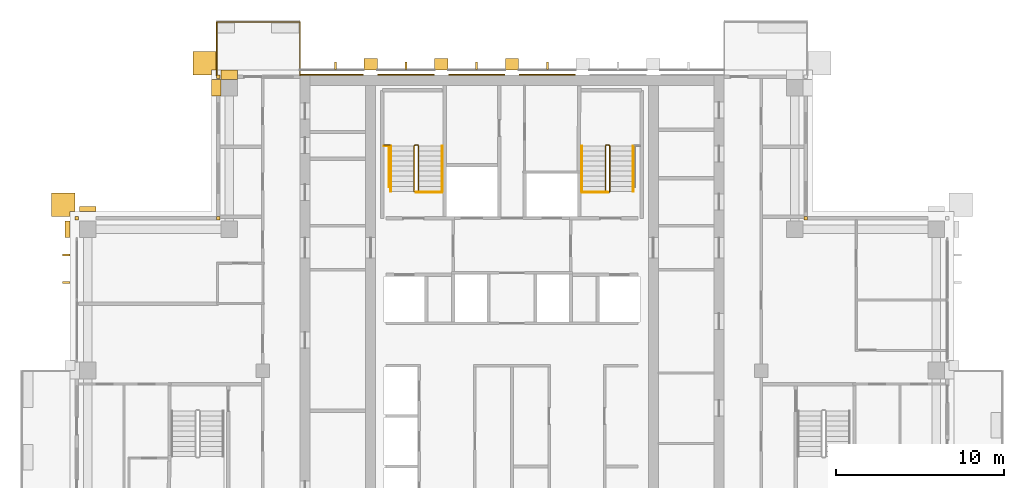
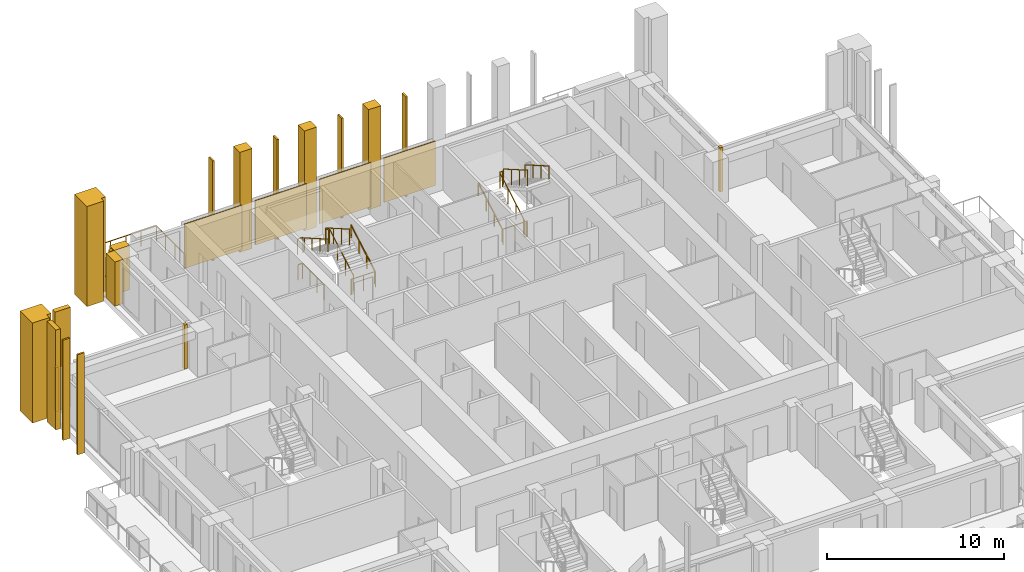
# One storey, part 17 of 18: 23 coverings, 11 railings.
"""IFC4 building model written with IfcOpenShell, lengths in metres."""

from ifc_helpers import new_model, si_unit, direction, frame, origin, origin_2d, place, context, subcontext, project, spatial, polyline, rectangle, outline, extrude, material, layer, layer_set, type_object, element, save


model = new_model("IFC4")

# Units and contexts
model_context = context("Model", 3, precision=1e-05, world=origin(), true_north=direction((0.0, 1.0)))
body_context = subcontext(model_context, "Body", "Model", "MODEL_VIEW")
ifc_project = project(units=[si_unit("LENGTHUNIT", "METRE"), si_unit("AREAUNIT", "SQUARE_METRE"), si_unit("VOLUMEUNIT", "CUBIC_METRE"), si_unit("PLANEANGLEUNIT", "RADIAN"), si_unit("MASSUNIT", "GRAM", prefix="KILO")], contexts=[model_context])

# Site, building, storey
site_placement = place(None, origin())
site = spatial("IfcSite", under=ifc_project, at=site_placement, CompositionType="ELEMENT")
building_placement = place(site_placement, origin())
building = spatial("IfcBuilding", under=site, at=building_placement, Name="Vermilion Ogive Tower", CompositionType="ELEMENT")
storey_placement = place(building_placement, frame((0.0, 0.0, 199.699951171875)))
storey = spatial("IfcBuildingStorey", under=building, at=storey_placement, Name="L52", CompositionType="ELEMENT", Elevation=199.699951171875)

# Railing
ifc_material_1 = material(Name="Stainless steel and glass", Category="steel")
railing_type_1 = type_object("IfcRailingType", Name="Balcony guard", PredefinedType="GUARDRAIL", material=ifc_material_1)
railing_1_placement = place(storey_placement, frame((-12.60009765625, 21.75, -0.0400390625)))
element("IfcRailing", 1, at=railing_1_placement, inside=storey, type_object=railing_type_1, Name="Guard N201", PredefinedType="GUARDRAIL", context=body_context, shape_type="SweptSolid", body=[
    extrude(rectangle(XDim=0.048095703125, YDim=0.048095703125, at=origin_2d()), frame((0.0, 0.0, 1.076171875), z_axis=(0.0, 1.0, 0.0), x_axis=(-1.0, 0.0, 0.0)), (0.0, 0.0, 1.0), 3.159912109375),
    extrude(rectangle(XDim=0.048095703125, YDim=0.048095703125, at=origin_2d()), frame((0.0, 3.159912109375, 1.076171875), z_axis=(-1.0, 0.0, 0.0), x_axis=(0.0, -1.0, 0.0)), (0.0, 0.0, 1.0), 4.949951171875),
    extrude(rectangle(XDim=0.048095703125, YDim=0.048095703125, at=origin_2d()), frame((-4.949951171875, 3.159912109375, 1.076171875), z_axis=(0.0, -1.0, 0.0), x_axis=(1.0, 0.0, 0.0)), (0.0, 0.0, 1.0), 3.159912109375),
    extrude(rectangle(XDim=0.0419921875, YDim=0.0419921875, at=origin_2d()), origin(), (0.0, 0.0, 1.0), 1.052001953125),
    extrude(rectangle(XDim=0.0419921875, YDim=0.0419921875, at=origin_2d()), frame((0.0, 1.05322265625, 0.0)), (0.0, 0.0, 1.0), 1.052001953125),
    extrude(rectangle(XDim=0.0419921875, YDim=0.0419921875, at=origin_2d()), frame((0.0, 2.106689453125, 0.0)), (0.0, 0.0, 1.0), 1.052001953125),
    extrude(rectangle(XDim=0.0419921875, YDim=0.0419921875, at=origin_2d()), frame((0.0, 3.159912109375, 0.0)), (0.0, 0.0, 1.0), 1.052001953125),
    extrude(rectangle(XDim=0.0419921875, YDim=0.0419921875, at=origin_2d()), frame((-0.989990234375, 3.159912109375, 0.0)), (0.0, 0.0, 1.0), 1.052001953125),
    extrude(rectangle(XDim=0.0419921875, YDim=0.0419921875, at=origin_2d()), frame((-1.97998046875, 3.159912109375, 0.0)), (0.0, 0.0, 1.0), 1.052001953125),
    extrude(rectangle(XDim=0.0419921875, YDim=0.0419921875, at=origin_2d()), frame((-2.969970703125, 3.159912109375, 0.0)), (0.0, 0.0, 1.0), 1.052001953125),
    extrude(rectangle(XDim=0.0419921875, YDim=0.0419921875, at=origin_2d()), frame((-3.9599609375, 3.159912109375, 0.0)), (0.0, 0.0, 1.0), 1.052001953125),
    extrude(rectangle(XDim=0.0419921875, YDim=0.0419921875, at=origin_2d()), frame((-4.949951171875, 3.159912109375, 0.0)), (0.0, 0.0, 1.0), 1.052001953125),
    extrude(rectangle(XDim=0.0419921875, YDim=0.0419921875, at=origin_2d()), frame((-4.949951171875, 2.106689453125, 0.0)), (0.0, 0.0, 1.0), 1.052001953125),
    extrude(rectangle(XDim=0.0419921875, YDim=0.0419921875, at=origin_2d()), frame((-4.949951171875, 1.05322265625, 0.0)), (0.0, 0.0, 1.0), 1.052001953125),
    extrude(rectangle(XDim=0.0419921875, YDim=0.0419921875, at=origin_2d()), frame((-4.949951171875, 0.0, 0.0)), (0.0, 0.0, 1.0), 1.052001953125),
])

# Coverings
ifc_material_2 = material(Name="Glazed ceramic screen")
ifc_layer = layer(ifc_material_2, 0.14990234375)
ifc_layer_set = layer_set([ifc_layer], Name="Ceramic solar screen fin")
covering_type_1 = type_object("IfcCoveringType", Name="Ceramic solar screen fin", PredefinedType="CLADDING", material=ifc_layer_set)
covering_1_placement = place(storey_placement, frame((0.0, 0.0, -0.39990234375)))
element("IfcCovering", 2, at=covering_1_placement, inside=storey, type_object=covering_type_1, Name="Solar screen blade W021", PredefinedType="CLADDING", context=body_context, shape_type="SweptSolid", body=[
    extrude(outline(polyline([(-26.699951171875, 11.135009765625), (-26.699951171875, 11.014892578125), (-26.25, 11.014892578125), (-26.25, 11.135009765625), (-26.699951171875, 11.135009765625)])), origin(), (0.0, 0.0, 1.0), 6.89990234375),
])
covering_2_placement = place(storey_placement, frame((0.0, 0.0, -0.39990234375)))
element("IfcCovering", 3, at=covering_2_placement, inside=storey, type_object=covering_type_1, Name="Solar screen blade W022", PredefinedType="CLADDING", context=body_context, shape_type="SweptSolid", body=[
    extrude(outline(polyline([(-26.699951171875, 9.485107421875), (-26.699951171875, 9.364990234375), (-26.25, 9.364990234375), (-26.25, 9.485107421875), (-26.699951171875, 9.485107421875)])), origin(), (0.0, 0.0, 1.0), 6.89990234375),
])
covering_3_placement = place(storey_placement, frame((0.0, 0.0, -0.39990234375)))
element("IfcCovering", 4, at=covering_3_placement, inside=storey, type_object=covering_type_1, Name="Solar screen blade N1", PredefinedType="CLADDING", context=body_context, shape_type="SweptSolid", body=[
    extrude(outline(polyline([(-10.56005859375, 22.08203125), (-10.43994140625, 22.08203125), (-10.43994140625, 22.531982421875), (-10.56005859375, 22.531982421875), (-10.56005859375, 22.08203125)])), origin(), (0.0, 0.0, 1.0), 6.89990234375),
])
covering_4_placement = place(storey_placement, frame((0.0, 0.0, -0.39990234375)))
element("IfcCovering", 5, at=covering_4_placement, inside=storey, type_object=covering_type_1, Name="Solar screen blade N2", PredefinedType="CLADDING", context=body_context, shape_type="SweptSolid", body=[
    extrude(outline(polyline([(-6.360107421875, 22.08203125), (-6.239990234375, 22.08203125), (-6.239990234375, 22.531982421875), (-6.360107421875, 22.531982421875), (-6.360107421875, 22.08203125)])), origin(), (0.0, 0.0, 1.0), 6.89990234375),
])
covering_5_placement = place(storey_placement, frame((0.0, 0.0, -0.39990234375)))
element("IfcCovering", 6, at=covering_5_placement, inside=storey, type_object=covering_type_1, Name="Solar screen blade N3", PredefinedType="CLADDING", context=body_context, shape_type="SweptSolid", body=[
    extrude(outline(polyline([(-2.159912109375, 22.08203125), (-2.0400390625, 22.08203125), (-2.0400390625, 22.531982421875), (-2.159912109375, 22.531982421875), (-2.159912109375, 22.08203125)])), origin(), (0.0, 0.0, 1.0), 6.89990234375),
])
covering_6_placement = place(storey_placement, frame((0.0, 0.0, -0.39990234375)))
element("IfcCovering", 7, at=covering_6_placement, inside=storey, type_object=covering_type_1, Name="Solar screen blade N4", PredefinedType="CLADDING", context=body_context, shape_type="SweptSolid", body=[
    extrude(outline(polyline([(2.0400390625, 22.08203125), (2.159912109375, 22.08203125), (2.159912109375, 22.531982421875), (2.0400390625, 22.531982421875), (2.0400390625, 22.08203125)])), origin(), (0.0, 0.0, 1.0), 6.89990234375),
])

# Railings
ifc_material_3 = material(Name="Steel S355 painted", Category="steel")
railing_type_2 = type_object("IfcRailingType", Name="Stair guard 1100", PredefinedType="GUARDRAIL", material=ifc_material_3)
railing_2_placement = place(storey_placement, frame((-5.75, 14.800048828125, 0.0)))
element("IfcRailing", 8, at=railing_2_placement, inside=storey, type_object=railing_type_2, Name="L52 ST1 stair guard 4", PredefinedType="GUARDRAIL", context=body_context, shape_type="SweptSolid", body=[
    extrude(rectangle(XDim=0.048095703125, YDim=0.048095703125, at=origin_2d()), frame((0.0, 0.0, 1.076171875), z_axis=(1.0, 0.0, 0.0), x_axis=(0.0, 1.0, 0.0)), (0.0, 0.0, 1.0), 0.14990234375),
    extrude(rectangle(XDim=0.048095703125, YDim=0.048095703125, at=origin_2d()), frame((0.14990234375, 0.0, 1.076171875), z_axis=(0.268277960024, 0.268277960024, 0.925231793839), x_axis=(-0.707106781187, 0.707106781187, 0.0)), (0.0, 0.0, 1.0), 0.1865234375),
    extrude(rectangle(XDim=0.048095703125, YDim=0.048095703125, at=origin_2d()), frame((0.199951171875, 0.050048828125, 1.24853515625), z_axis=(0.0, 0.866903762492, 0.498475542607), x_axis=(-1.0, 0.0, 0.0)), (0.0, 0.0, 1.0), 3.114501953125),
    extrude(rectangle(XDim=0.048095703125, YDim=0.048095703125, at=origin_2d()), frame((0.199951171875, 2.75, 2.80126953125), z_axis=(-0.707106781187, 0.707106781187, 0.0), x_axis=(-0.707106781187, -0.707106781187, 0.0)), (0.0, 0.0, 1.0), 0.07080078125),
    extrude(rectangle(XDim=0.048095703125, YDim=0.048095703125, at=origin_2d()), frame((0.14990234375, 2.800048828125, 2.80126953125), z_axis=(-1.0, 0.0, 0.0), x_axis=(0.0, -1.0, 0.0)), (0.0, 0.0, 1.0), 0.14990234375),
    extrude(rectangle(XDim=0.048095703125, YDim=0.048095703125, at=origin_2d()), frame((0.0, 2.800048828125, 2.80126953125), z_axis=(-0.268603158521, -0.268603158521, 0.925043072762), x_axis=(0.707106781187, -0.707106781187, 0.0)), (0.0, 0.0, 1.0), 0.186279296875),
    extrude(rectangle(XDim=0.048095703125, YDim=0.048095703125, at=origin_2d()), frame((-0.050048828125, 2.75, 2.9736328125), z_axis=(0.0, -0.866903762492, 0.498475542607), x_axis=(1.0, 0.0, 0.0)), (0.0, 0.0, 1.0), 3.114501953125),
    extrude(rectangle(XDim=0.0419921875, YDim=0.0419921875, at=origin_2d()), origin(), (0.0, 0.0, 1.0), 1.052001953125),
    extrude(rectangle(XDim=0.0419921875, YDim=0.0419921875, at=origin_2d()), frame((0.14990234375, 0.0, 0.0)), (0.0, 0.0, 1.0), 1.052001953125),
    extrude(rectangle(XDim=0.0419921875, YDim=0.0419921875, at=origin_2d()), frame((0.199951171875, 0.050048828125, 0.172607421875)), (0.0, 0.0, 1.0), 1.052001953125),
    extrude(rectangle(XDim=0.0419921875, YDim=0.0419921875, at=origin_2d()), frame((0.199951171875, 0.949951171875, 0.690185546875)), (0.0, 0.0, 1.0), 1.052001953125),
    extrude(rectangle(XDim=0.0419921875, YDim=0.0419921875, at=origin_2d()), frame((0.199951171875, 1.85009765625, 1.20751953125)), (0.0, 0.0, 1.0), 1.052001953125),
    extrude(rectangle(XDim=0.0419921875, YDim=0.0419921875, at=origin_2d()), frame((0.199951171875, 2.75, 1.72509765625)), (0.0, 0.0, 1.0), 1.052001953125),
    extrude(rectangle(XDim=0.0419921875, YDim=0.0419921875, at=origin_2d()), frame((0.14990234375, 2.800048828125, 1.72509765625)), (0.0, 0.0, 1.0), 1.052001953125),
    extrude(rectangle(XDim=0.0419921875, YDim=0.0419921875, at=origin_2d()), frame((0.0, 2.800048828125, 1.72509765625)), (0.0, 0.0, 1.0), 1.052001953125),
    extrude(rectangle(XDim=0.0419921875, YDim=0.0419921875, at=origin_2d()), frame((-0.050048828125, 2.75, 1.8974609375)), (0.0, 0.0, 1.0), 1.052001953125),
    extrude(rectangle(XDim=0.0419921875, YDim=0.0419921875, at=origin_2d()), frame((-0.050048828125, 1.85009765625, 2.4150390625)), (0.0, 0.0, 1.0), 1.052001953125),
    extrude(rectangle(XDim=0.0419921875, YDim=0.0419921875, at=origin_2d()), frame((-0.050048828125, 0.949951171875, 2.932373046875)), (0.0, 0.0, 1.0), 1.052001953125),
    extrude(rectangle(XDim=0.0419921875, YDim=0.0419921875, at=origin_2d()), frame((-0.050048828125, 0.050048828125, 3.449951171875)), (0.0, 0.0, 1.0), 1.052001953125),
])
railing_3_placement = place(storey_placement, frame((5.75, 14.800048828125, 0.0)))
element("IfcRailing", 9, at=railing_3_placement, inside=storey, type_object=railing_type_2, Name="L52 ST2 stair guard 4", PredefinedType="GUARDRAIL", context=body_context, shape_type="SweptSolid", body=[
    extrude(rectangle(XDim=0.048095703125, YDim=0.048095703125, at=origin_2d()), frame((0.0, 0.0, 1.076171875), z_axis=(-1.0, 0.0, 0.0), x_axis=(0.0, -1.0, 0.0)), (0.0, 0.0, 1.0), 0.14990234375),
    extrude(rectangle(XDim=0.048095703125, YDim=0.048095703125, at=origin_2d()), frame((-0.14990234375, 0.0, 1.076171875), z_axis=(-0.268277960024, 0.268277960024, 0.925231793839), x_axis=(-0.707106781187, -0.707106781187, 0.0)), (0.0, 0.0, 1.0), 0.1865234375),
    extrude(rectangle(XDim=0.048095703125, YDim=0.048095703125, at=origin_2d()), frame((-0.199951171875, 0.050048828125, 1.24853515625), z_axis=(0.0, 0.866903762492, 0.498475542607), x_axis=(-1.0, 0.0, 0.0)), (0.0, 0.0, 1.0), 3.114501953125),
    extrude(rectangle(XDim=0.048095703125, YDim=0.048095703125, at=origin_2d()), frame((-0.199951171875, 2.75, 2.80126953125), z_axis=(0.707106781187, 0.707106781187, 0.0), x_axis=(-0.707106781187, 0.707106781187, 0.0)), (0.0, 0.0, 1.0), 0.07080078125),
    extrude(rectangle(XDim=0.048095703125, YDim=0.048095703125, at=origin_2d()), frame((-0.14990234375, 2.800048828125, 2.80126953125), z_axis=(1.0, 0.0, 0.0), x_axis=(0.0, 1.0, 0.0)), (0.0, 0.0, 1.0), 0.14990234375),
    extrude(rectangle(XDim=0.048095703125, YDim=0.048095703125, at=origin_2d()), frame((0.0, 2.800048828125, 2.80126953125), z_axis=(0.268603158521, -0.268603158521, 0.925043072762), x_axis=(0.707106781187, 0.707106781187, 0.0)), (0.0, 0.0, 1.0), 0.186279296875),
    extrude(rectangle(XDim=0.048095703125, YDim=0.048095703125, at=origin_2d()), frame((0.050048828125, 2.75, 2.9736328125), z_axis=(0.0, -0.866903762492, 0.498475542607), x_axis=(1.0, 0.0, 0.0)), (0.0, 0.0, 1.0), 3.114501953125),
    extrude(rectangle(XDim=0.0419921875, YDim=0.0419921875, at=origin_2d()), origin(), (0.0, 0.0, 1.0), 1.052001953125),
    extrude(rectangle(XDim=0.0419921875, YDim=0.0419921875, at=origin_2d()), frame((-0.14990234375, 0.0, 0.0)), (0.0, 0.0, 1.0), 1.052001953125),
    extrude(rectangle(XDim=0.0419921875, YDim=0.0419921875, at=origin_2d()), frame((-0.199951171875, 0.050048828125, 0.172607421875)), (0.0, 0.0, 1.0), 1.052001953125),
    extrude(rectangle(XDim=0.0419921875, YDim=0.0419921875, at=origin_2d()), frame((-0.199951171875, 0.949951171875, 0.690185546875)), (0.0, 0.0, 1.0), 1.052001953125),
    extrude(rectangle(XDim=0.0419921875, YDim=0.0419921875, at=origin_2d()), frame((-0.199951171875, 1.85009765625, 1.20751953125)), (0.0, 0.0, 1.0), 1.052001953125),
    extrude(rectangle(XDim=0.0419921875, YDim=0.0419921875, at=origin_2d()), frame((-0.199951171875, 2.75, 1.72509765625)), (0.0, 0.0, 1.0), 1.052001953125),
    extrude(rectangle(XDim=0.0419921875, YDim=0.0419921875, at=origin_2d()), frame((-0.14990234375, 2.800048828125, 1.72509765625)), (0.0, 0.0, 1.0), 1.052001953125),
    extrude(rectangle(XDim=0.0419921875, YDim=0.0419921875, at=origin_2d()), frame((0.0, 2.800048828125, 1.72509765625)), (0.0, 0.0, 1.0), 1.052001953125),
    extrude(rectangle(XDim=0.0419921875, YDim=0.0419921875, at=origin_2d()), frame((0.050048828125, 2.75, 1.8974609375)), (0.0, 0.0, 1.0), 1.052001953125),
    extrude(rectangle(XDim=0.0419921875, YDim=0.0419921875, at=origin_2d()), frame((0.050048828125, 1.85009765625, 2.4150390625)), (0.0, 0.0, 1.0), 1.052001953125),
    extrude(rectangle(XDim=0.0419921875, YDim=0.0419921875, at=origin_2d()), frame((0.050048828125, 0.949951171875, 2.932373046875)), (0.0, 0.0, 1.0), 1.052001953125),
    extrude(rectangle(XDim=0.0419921875, YDim=0.0419921875, at=origin_2d()), frame((0.050048828125, 0.050048828125, 3.449951171875)), (0.0, 0.0, 1.0), 1.052001953125),
])
railing_4_placement = place(storey_placement, frame((-7.60009765625, 17.60009765625, 1.72509765625)))
element("IfcRailing", 10, at=railing_4_placement, inside=storey, type_object=railing_type_2, Name="L52 landing guard", PredefinedType="GUARDRAIL", context=body_context, shape_type="SweptSolid", body=[
    extrude(rectangle(XDim=0.048095703125, YDim=0.048095703125, at=origin_2d()), frame((0.0, 0.0, 1.076171875), z_axis=(1.0, 0.0, 0.0), x_axis=(0.0, 1.0, 0.0)), (0.0, 0.0, 1.0), 0.35009765625),
    extrude(rectangle(XDim=0.0419921875, YDim=0.0419921875, at=origin_2d()), origin(), (0.0, 0.0, 1.0), 1.052001953125),
    extrude(rectangle(XDim=0.0419921875, YDim=0.0419921875, at=origin_2d()), frame((0.35009765625, 0.0, 0.0)), (0.0, 0.0, 1.0), 1.052001953125),
])
railing_5_placement = place(storey_placement, frame((-4.159912109375, 14.7900390625, 0.0)))
element("IfcRailing", 11, at=railing_5_placement, inside=storey, type_object=railing_type_2, Name="L52 stair opening guard", PredefinedType="GUARDRAIL", context=body_context, shape_type="SweptSolid", body=[
    extrude(rectangle(XDim=0.048095703125, YDim=0.048095703125, at=origin_2d()), frame((0.0, 0.0, 1.076171875), z_axis=(-1.0, 0.0, 0.0), x_axis=(0.0, -1.0, 0.0)), (0.0, 0.0, 1.0), 1.5400390625),
    extrude(rectangle(XDim=0.0419921875, YDim=0.0419921875, at=origin_2d()), origin(), (0.0, 0.0, 1.0), 1.052001953125),
    extrude(rectangle(XDim=0.0419921875, YDim=0.0419921875, at=origin_2d()), frame((-0.77001953125, 0.0, 0.0)), (0.0, 0.0, 1.0), 1.052001953125),
    extrude(rectangle(XDim=0.0419921875, YDim=0.0419921875, at=origin_2d()), frame((-1.5400390625, 0.0, 0.0)), (0.0, 0.0, 1.0), 1.052001953125),
])
railing_6_placement = place(storey_placement, frame((-7.3095703125, 15.11865234375, 0.0)))
element("IfcRailing", 12, at=railing_6_placement, inside=storey, type_object=railing_type_2, Name="L52 stair opening guard", PredefinedType="GUARDRAIL", context=body_context, shape_type="SweptSolid", body=[
    extrude(rectangle(XDim=0.048095703125, YDim=0.048095703125, at=origin_2d()), frame((0.0, 0.0, 1.076171875), z_axis=(0.0, 1.0, 0.0), x_axis=(-1.0, 0.0, 0.0)), (0.0, 0.0, 1.0), 2.42431640625),
    extrude(rectangle(XDim=0.048095703125, YDim=0.048095703125, at=origin_2d()), frame((0.0, 2.42431640625, 1.076171875), z_axis=(-1.0, 0.0, 0.0), x_axis=(0.0, -1.0, 0.0)), (0.0, 0.0, 1.0), 0.2900390625),
    extrude(rectangle(XDim=0.0419921875, YDim=0.0419921875, at=origin_2d()), origin(), (0.0, 0.0, 1.0), 1.052001953125),
    extrude(rectangle(XDim=0.0419921875, YDim=0.0419921875, at=origin_2d()), frame((0.0, 0.80810546875, 0.0)), (0.0, 0.0, 1.0), 1.052001953125),
    extrude(rectangle(XDim=0.0419921875, YDim=0.0419921875, at=origin_2d()), frame((0.0, 1.6162109375, 0.0)), (0.0, 0.0, 1.0), 1.052001953125),
    extrude(rectangle(XDim=0.0419921875, YDim=0.0419921875, at=origin_2d()), frame((0.0, 2.42431640625, 0.0)), (0.0, 0.0, 1.0), 1.052001953125),
    extrude(rectangle(XDim=0.0419921875, YDim=0.0419921875, at=origin_2d()), frame((-0.2900390625, 2.42431640625, 0.0)), (0.0, 0.0, 1.0), 1.052001953125),
])
railing_7_placement = place(storey_placement, frame((5.699951171875, 14.7900390625, 0.0)))
element("IfcRailing", 13, at=railing_7_placement, inside=storey, type_object=railing_type_2, Name="L52 stair opening guard", PredefinedType="GUARDRAIL", context=body_context, shape_type="SweptSolid", body=[
    extrude(rectangle(XDim=0.048095703125, YDim=0.048095703125, at=origin_2d()), frame((0.0, 0.0, 1.076171875), z_axis=(-1.0, 0.0, 0.0), x_axis=(0.0, -1.0, 0.0)), (0.0, 0.0, 1.0), 1.5400390625),
    extrude(rectangle(XDim=0.0419921875, YDim=0.0419921875, at=origin_2d()), origin(), (0.0, 0.0, 1.0), 1.052001953125),
    extrude(rectangle(XDim=0.0419921875, YDim=0.0419921875, at=origin_2d()), frame((-0.77001953125, 0.0, 0.0)), (0.0, 0.0, 1.0), 1.052001953125),
    extrude(rectangle(XDim=0.0419921875, YDim=0.0419921875, at=origin_2d()), frame((-1.5400390625, 0.0, 0.0)), (0.0, 0.0, 1.0), 1.052001953125),
])
ifc_material_4 = material(Name="Stainless steel", Category="steel")
railing_type_3 = type_object("IfcRailingType", Name="Stair handrail 900", PredefinedType="HANDRAIL", material=ifc_material_4)
railing_8_placement = place(storey_placement, frame((-4.14990234375, 14.85009765625, 0.172607421875)))
element("IfcRailing", 14, at=railing_8_placement, inside=storey, type_object=railing_type_3, Name="L52 ST1 stair handrail 1", PredefinedType="HANDRAIL", context=body_context, shape_type="SweptSolid", body=[
    extrude(rectangle(XDim=0.048095703125, YDim=0.048095703125, at=origin_2d()), frame((0.0, 0.0, 0.8759765625), z_axis=(0.0, 0.866903762492, 0.498475542607), x_axis=(-1.0, 0.0, 0.0)), (0.0, 0.0, 1.0), 3.114501953125),
    extrude(rectangle(XDim=0.0419921875, YDim=0.0419921875, at=origin_2d()), origin(), (0.0, 0.0, 1.0), 0.851806640625),
    extrude(rectangle(XDim=0.0419921875, YDim=0.0419921875, at=origin_2d()), frame((0.0, 0.89990234375, 0.517578125)), (0.0, 0.0, 1.0), 0.851806640625),
    extrude(rectangle(XDim=0.0419921875, YDim=0.0419921875, at=origin_2d()), frame((0.0, 1.800048828125, 1.034912109375)), (0.0, 0.0, 1.0), 0.851806640625),
    extrude(rectangle(XDim=0.0419921875, YDim=0.0419921875, at=origin_2d()), frame((0.0, 2.699951171875, 1.552490234375)), (0.0, 0.0, 1.0), 0.851806640625),
])
railing_9_placement = place(storey_placement, frame((-7.199951171875, 17.550048828125, 1.8974609375)))
element("IfcRailing", 15, at=railing_9_placement, inside=storey, type_object=railing_type_3, Name="L52 ST1 stair handrail 2", PredefinedType="HANDRAIL", context=body_context, shape_type="SweptSolid", body=[
    extrude(rectangle(XDim=0.048095703125, YDim=0.048095703125, at=origin_2d()), frame((0.0, 0.0, 0.8759765625), z_axis=(0.0, -0.866903762492, 0.498475542607), x_axis=(1.0, 0.0, 0.0)), (0.0, 0.0, 1.0), 3.114501953125),
    extrude(rectangle(XDim=0.0419921875, YDim=0.0419921875, at=origin_2d()), origin(), (0.0, 0.0, 1.0), 0.851806640625),
    extrude(rectangle(XDim=0.0419921875, YDim=0.0419921875, at=origin_2d()), frame((0.0, -0.89990234375, 0.517578125)), (0.0, 0.0, 1.0), 0.851806640625),
    extrude(rectangle(XDim=0.0419921875, YDim=0.0419921875, at=origin_2d()), frame((0.0, -1.800048828125, 1.034912109375)), (0.0, 0.0, 1.0), 0.851806640625),
    extrude(rectangle(XDim=0.0419921875, YDim=0.0419921875, at=origin_2d()), frame((0.0, -2.699951171875, 1.552490234375)), (0.0, 0.0, 1.0), 0.851806640625),
])
railing_10_placement = place(storey_placement, frame((4.14990234375, 14.85009765625, 0.172607421875)))
element("IfcRailing", 16, at=railing_10_placement, inside=storey, type_object=railing_type_3, Name="L52 ST2 stair handrail 1", PredefinedType="HANDRAIL", context=body_context, shape_type="SweptSolid", body=[
    extrude(rectangle(XDim=0.048095703125, YDim=0.048095703125, at=origin_2d()), frame((0.0, 0.0, 0.8759765625), z_axis=(0.0, 0.866903762492, 0.498475542607), x_axis=(-1.0, 0.0, 0.0)), (0.0, 0.0, 1.0), 3.114501953125),
    extrude(rectangle(XDim=0.0419921875, YDim=0.0419921875, at=origin_2d()), origin(), (0.0, 0.0, 1.0), 0.851806640625),
    extrude(rectangle(XDim=0.0419921875, YDim=0.0419921875, at=origin_2d()), frame((0.0, 0.89990234375, 0.517578125)), (0.0, 0.0, 1.0), 0.851806640625),
    extrude(rectangle(XDim=0.0419921875, YDim=0.0419921875, at=origin_2d()), frame((0.0, 1.800048828125, 1.034912109375)), (0.0, 0.0, 1.0), 0.851806640625),
    extrude(rectangle(XDim=0.0419921875, YDim=0.0419921875, at=origin_2d()), frame((0.0, 2.699951171875, 1.552490234375)), (0.0, 0.0, 1.0), 0.851806640625),
])
railing_11_placement = place(storey_placement, frame((7.199951171875, 17.550048828125, 1.8974609375)))
element("IfcRailing", 17, at=railing_11_placement, inside=storey, type_object=railing_type_3, Name="L52 ST2 stair handrail 2", PredefinedType="HANDRAIL", context=body_context, shape_type="SweptSolid", body=[
    extrude(rectangle(XDim=0.048095703125, YDim=0.048095703125, at=origin_2d()), frame((0.0, 0.0, 0.8759765625), z_axis=(0.0, -0.866903762492, 0.498475542607), x_axis=(1.0, 0.0, 0.0)), (0.0, 0.0, 1.0), 3.114501953125),
    extrude(rectangle(XDim=0.0419921875, YDim=0.0419921875, at=origin_2d()), origin(), (0.0, 0.0, 1.0), 0.851806640625),
    extrude(rectangle(XDim=0.0419921875, YDim=0.0419921875, at=origin_2d()), frame((0.0, -0.89990234375, 0.517578125)), (0.0, 0.0, 1.0), 0.851806640625),
    extrude(rectangle(XDim=0.0419921875, YDim=0.0419921875, at=origin_2d()), frame((0.0, -1.800048828125, 1.034912109375)), (0.0, 0.0, 1.0), 0.851806640625),
    extrude(rectangle(XDim=0.0419921875, YDim=0.0419921875, at=origin_2d()), frame((0.0, -2.699951171875, 1.552490234375)), (0.0, 0.0, 1.0), 0.851806640625),
])

# Coverings
ifc_material_5 = material(Name="Stone cladding", Category="masonry")
covering_type_2 = type_object("IfcCoveringType", Name="Stone buttress pier", PredefinedType="CLADDING", material=ifc_material_5)
covering_7_placement = place(storey_placement, frame((0.0, 0.0, -0.39990234375)))
element("IfcCovering", 18, at=covering_7_placement, inside=storey, type_object=covering_type_2, Name="Stone buttress pier N1", PredefinedType="CLADDING", context=body_context, shape_type="SweptSolid", body=[
    extrude(outline(polyline([(-8.0, 22.75), (-8.0, 22.050048828125), (-8.800048828125, 22.050048828125), (-8.800048828125, 22.75), (-8.0, 22.75)])), origin(), (0.0, 0.0, 1.0), 6.89990234375),
])
covering_8_placement = place(storey_placement, frame((0.0, 0.0, -0.39990234375)))
element("IfcCovering", 19, at=covering_8_placement, inside=storey, type_object=covering_type_2, Name="Stone buttress pier N2", PredefinedType="CLADDING", context=body_context, shape_type="SweptSolid", body=[
    extrude(outline(polyline([(-3.800048828125, 22.75), (-3.800048828125, 22.050048828125), (-4.60009765625, 22.050048828125), (-4.60009765625, 22.75), (-3.800048828125, 22.75)])), origin(), (0.0, 0.0, 1.0), 6.89990234375),
])
covering_9_placement = place(storey_placement, frame((0.0, 0.0, -0.39990234375)))
element("IfcCovering", 20, at=covering_9_placement, inside=storey, type_object=covering_type_2, Name="Stone buttress pier N3", PredefinedType="CLADDING", context=body_context, shape_type="SweptSolid", body=[
    extrude(outline(polyline([(0.39990234375, 22.75), (0.39990234375, 22.050048828125), (-0.39990234375, 22.050048828125), (-0.39990234375, 22.75), (0.39990234375, 22.75)])), origin(), (0.0, 0.0, 1.0), 6.89990234375),
])
ifc_material_6 = material(Name="Stone cladding", Category="masonry")
covering_type_3 = type_object("IfcCoveringType", Name="Stone cladding panel", PredefinedType="CLADDING", material=ifc_material_6)
covering_10_placement = place(storey_placement, origin())
element("IfcCovering", 21, at=covering_10_placement, inside=storey, type_object=covering_type_3, Name="Stone cladding panel N1", PredefinedType="CLADDING", context=body_context, shape_type="SweptSolid", body=[
    extrude(outline(polyline([(-12.590087890625, 21.75), (-8.830078125, 21.75), (-8.830078125, 21.81005859375), (-12.590087890625, 21.81005859375), (-12.590087890625, 21.75)])), origin(), (0.0, 0.0, 1.0), 3.050048828125),
])
covering_11_placement = place(storey_placement, origin())
element("IfcCovering", 22, at=covering_11_placement, inside=storey, type_object=covering_type_3, Name="Stone cladding panel N2", PredefinedType="CLADDING", context=body_context, shape_type="SweptSolid", body=[
    extrude(outline(polyline([(-7.969970703125, 21.75), (-4.6298828125, 21.75), (-4.6298828125, 21.81005859375), (-7.969970703125, 21.81005859375), (-7.969970703125, 21.75)])), origin(), (0.0, 0.0, 1.0), 3.050048828125),
])
covering_12_placement = place(storey_placement, origin())
element("IfcCovering", 23, at=covering_12_placement, inside=storey, type_object=covering_type_3, Name="Stone cladding panel N3", PredefinedType="CLADDING", context=body_context, shape_type="SweptSolid", body=[
    extrude(outline(polyline([(-3.77001953125, 21.75), (-0.429931640625, 21.75), (-0.429931640625, 21.81005859375), (-3.77001953125, 21.81005859375), (-3.77001953125, 21.75)])), origin(), (0.0, 0.0, 1.0), 3.050048828125),
])
covering_13_placement = place(storey_placement, origin())
element("IfcCovering", 24, at=covering_13_placement, inside=storey, type_object=covering_type_3, Name="Stone cladding panel N4", PredefinedType="CLADDING", context=body_context, shape_type="SweptSolid", body=[
    extrude(outline(polyline([(0.429931640625, 21.75), (3.77001953125, 21.75), (3.77001953125, 21.81005859375), (0.429931640625, 21.81005859375), (0.429931640625, 21.75)])), origin(), (0.0, 0.0, 1.0), 3.050048828125),
])
ifc_material_7 = material(Name="Stone cladding", Category="masonry")
covering_type_4 = type_object("IfcCoveringType", Name="Stone corner buttress", PredefinedType="CLADDING", material=ifc_material_7)
covering_14_placement = place(storey_placement, frame((0.0, 0.0, -0.39990234375)))
element("IfcCovering", 25, at=covering_14_placement, inside=storey, type_object=covering_type_4, Name="Stone corner buttress X51", PredefinedType="CLADDING", context=body_context, shape_type="SweptSolid", body=[
    extrude(outline(polyline([(-17.550048828125, 23.14990234375), (-17.550048828125, 22.050048828125), (-17.85009765625, 22.050048828125), (-17.85009765625, 21.75), (-18.949951171875, 21.75), (-18.949951171875, 23.14990234375), (-17.550048828125, 23.14990234375)])), origin(), (0.0, 0.0, 1.0), 6.89990234375),
])
covering_15_placement = place(storey_placement, frame((0.0, 0.0, -0.39990234375)))
element("IfcCovering", 26, at=covering_15_placement, inside=storey, type_object=covering_type_4, Name="Stone corner buttress W1", PredefinedType="CLADDING", context=body_context, shape_type="SweptSolid", body=[
    extrude(outline(polyline([(-25.949951171875, 13.64990234375), (-26.25, 13.64990234375), (-26.25, 13.35009765625), (-27.35009765625, 13.35009765625), (-27.35009765625, 14.75), (-25.949951171875, 14.75), (-25.949951171875, 13.64990234375)])), origin(), (0.0, 0.0, 1.0), 6.89990234375),
])
ifc_material_8 = material(Name="Stone cladding", Category="masonry")
covering_type_5 = type_object("IfcCoveringType", Name="Stone pier", PredefinedType="CLADDING", material=ifc_material_8)
covering_16_placement = place(storey_placement, origin())
element("IfcCovering", 27, at=covering_16_placement, inside=storey, type_object=covering_type_5, Name="Stone corner pier X3E1", PredefinedType="CLADDING", context=body_context, shape_type="SweptSolid", body=[
    extrude(outline(polyline([(17.35009765625, 13.14990234375), (17.35009765625, 13.35009765625), (17.550048828125, 13.35009765625), (17.550048828125, 13.14990234375), (17.35009765625, 13.14990234375)])), origin(), (0.0, 0.0, 1.0), 3.050048828125),
])
covering_17_placement = place(storey_placement, origin())
element("IfcCovering", 28, at=covering_17_placement, inside=storey, type_object=covering_type_5, Name="Stone corner pier N2E1", PredefinedType="CLADDING", context=body_context, shape_type="SweptSolid", body=[
    extrude(outline(polyline([(-17.35009765625, 21.550048828125), (-17.550048828125, 21.550048828125), (-17.550048828125, 21.75), (-17.35009765625, 21.75), (-17.35009765625, 21.550048828125)])), origin(), (0.0, 0.0, 1.0), 3.050048828125),
])
covering_18_placement = place(storey_placement, origin())
element("IfcCovering", 29, at=covering_18_placement, inside=storey, type_object=covering_type_5, Name="Stone corner pier X5E1", PredefinedType="CLADDING", context=body_context, shape_type="SweptSolid", body=[
    extrude(outline(polyline([(-17.35009765625, 13.14990234375), (-17.550048828125, 13.14990234375), (-17.550048828125, 13.35009765625), (-17.35009765625, 13.35009765625), (-17.35009765625, 13.14990234375)])), origin(), (0.0, 0.0, 1.0), 3.050048828125),
])
covering_19_placement = place(storey_placement, origin())
element("IfcCovering", 30, at=covering_19_placement, inside=storey, type_object=covering_type_5, Name="Stone corner pier X6E1", PredefinedType="CLADDING", context=body_context, shape_type="SweptSolid", body=[
    extrude(outline(polyline([(-25.75, 13.14990234375), (-25.949951171875, 13.14990234375), (-25.949951171875, 13.35009765625), (-25.75, 13.35009765625), (-25.75, 13.14990234375)])), origin(), (0.0, 0.0, 1.0), 3.050048828125),
])
covering_20_placement = place(storey_placement, frame((0.0, 0.0, -0.39990234375)))
element("IfcCovering", 31, at=covering_20_placement, inside=storey, type_object=covering_type_5, Name="Stone pier P-0252+126X6", PredefinedType="CLADDING", context=body_context, shape_type="SweptSolid", body=[
    extrude(outline(polyline([(-25.699951171875, 13.949951171875), (-24.699951171875, 13.949951171875), (-24.699951171875, 13.64990234375), (-25.699951171875, 13.64990234375), (-25.699951171875, 13.949951171875)])), origin(), (0.0, 0.0, 1.0), 6.89990234375),
])
covering_21_placement = place(storey_placement, frame((0.0, 0.0, -0.39990234375)))
element("IfcCovering", 32, at=covering_21_placement, inside=storey, type_object=covering_type_5, Name="Stone pier P-0252+126W", PredefinedType="CLADDING", context=body_context, shape_type="SweptSolid", body=[
    extrude(outline(polyline([(-26.550048828125, 13.10009765625), (-26.25, 13.10009765625), (-26.25, 12.10009765625), (-26.550048828125, 12.10009765625), (-26.550048828125, 13.10009765625)])), origin(), (0.0, 0.0, 1.0), 6.89990234375),
])
covering_22_placement = place(storey_placement, origin())
element("IfcCovering", 33, at=covering_22_placement, inside=storey, type_object=covering_type_5, Name="Stone pier P-0168+210N2", PredefinedType="CLADDING", context=body_context, shape_type="SweptSolid", body=[
    extrude(outline(polyline([(-17.300048828125, 21.5), (-17.300048828125, 22.050048828125), (-16.300048828125, 22.050048828125), (-16.300048828125, 21.5), (-17.300048828125, 21.5), (-17.300048828125, 21.5)])), origin(), (0.0, 0.0, 1.0), 3.050048828125),
])
covering_23_placement = place(storey_placement, origin())
element("IfcCovering", 34, at=covering_23_placement, inside=storey, type_object=covering_type_5, Name="Stone pier P-0168+210X5", PredefinedType="CLADDING", context=body_context, shape_type="SweptSolid", body=[
    extrude(outline(polyline([(-17.85009765625, 21.5), (-17.300048828125, 21.5), (-17.300048828125, 21.5), (-17.300048828125, 20.5), (-17.85009765625, 20.5), (-17.85009765625, 21.5)])), origin(), (0.0, 0.0, 1.0), 3.050048828125),
])

save(model, "model.ifc")
